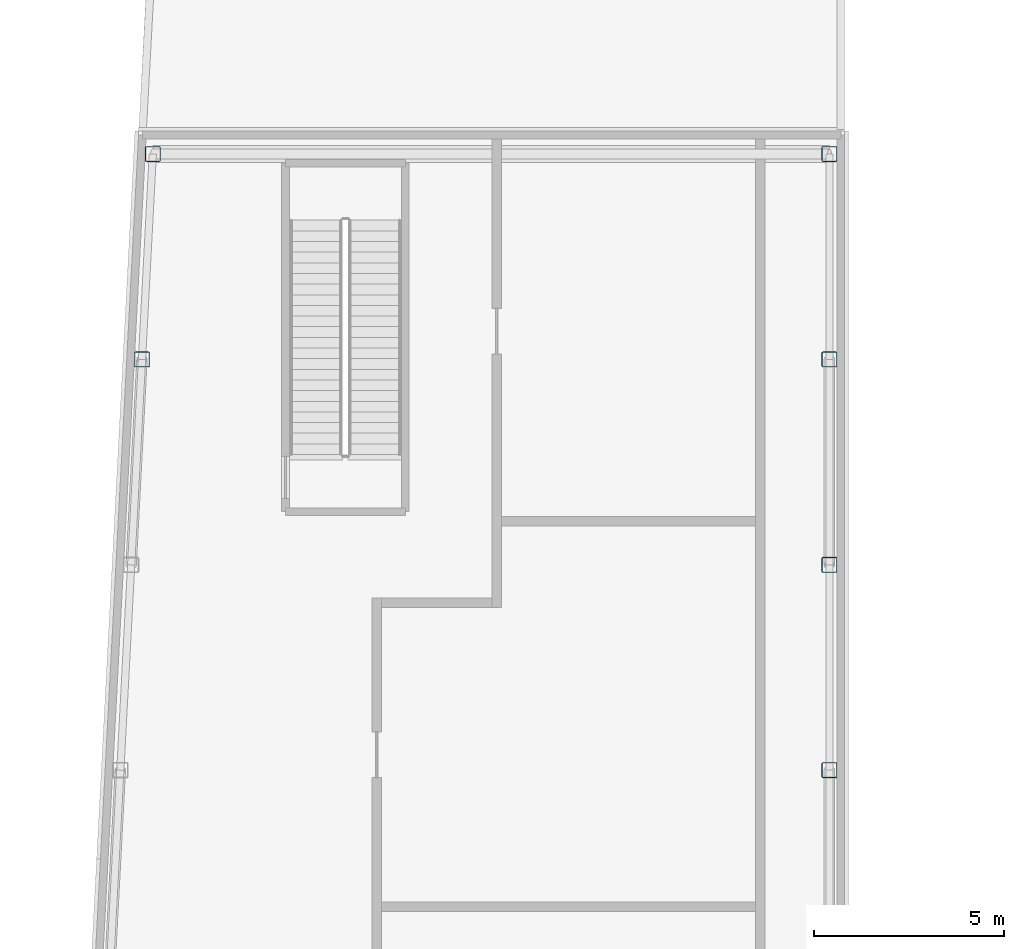
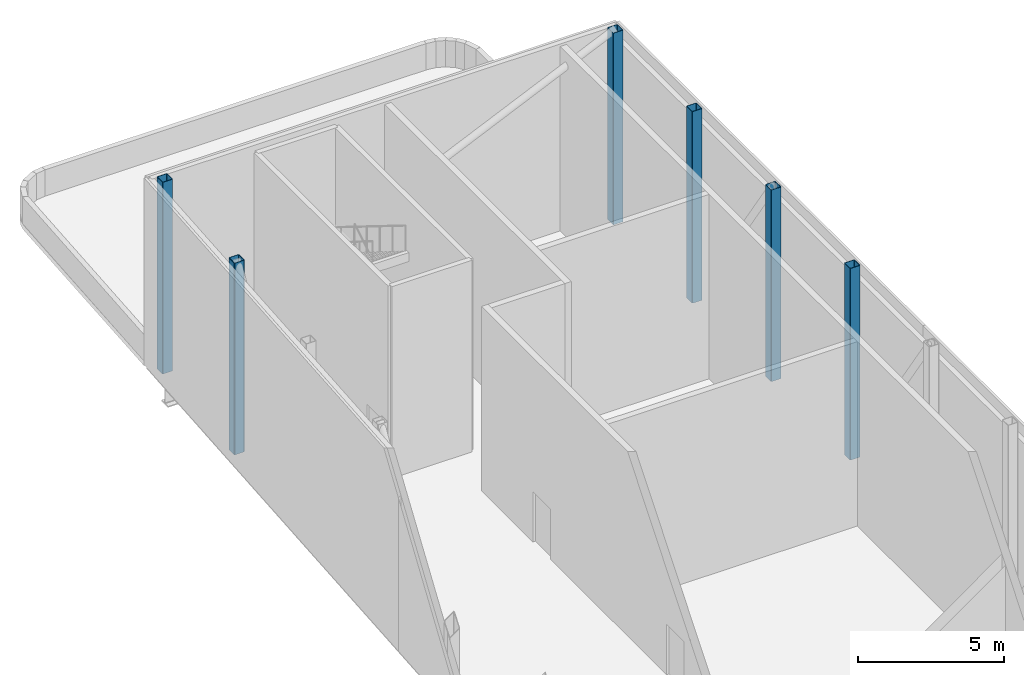
# One storey, part 2 of 10: 6 columns.
"""IFC4 building model written with IfcOpenShell, lengths in metres."""

from ifc_helpers import new_model, si_unit, direction, frame, origin, origin_2d, place, context, subcontext, project, spatial, hollow_rectangle, extrude, material, material_profile, profile_set, type_object, element, save


model = new_model("IFC4")

# Units and contexts
model_context = context("Model", 3, precision=1e-05, world=origin(), true_north=direction((0.0, 1.0)))
body_context = subcontext(model_context, "Body", "Model", "MODEL_VIEW")
ifc_project = project(units=[si_unit("LENGTHUNIT", "METRE"), si_unit("AREAUNIT", "SQUARE_METRE"), si_unit("VOLUMEUNIT", "CUBIC_METRE"), si_unit("PLANEANGLEUNIT", "RADIAN"), si_unit("MASSUNIT", "GRAM", prefix="KILO")], contexts=[model_context])

# Site, building, storey
site_placement = place(None, origin())
site = spatial("IfcSite", under=ifc_project, at=site_placement, CompositionType="ELEMENT")
building_placement = place(site_placement, origin())
building = spatial("IfcBuilding", under=site, at=building_placement, Name="Kheshtan School and Residences Tower", CompositionType="ELEMENT")
storey_placement = place(building_placement, frame((0.0, 0.0, 396.800048828125)))
storey = spatial("IfcBuildingStorey", under=building, at=storey_placement, Name="L93", CompositionType="ELEMENT", Elevation=396.800048828125)

# Columns
ifc_material = material(Name="Steel ASTM A500 Grade C", Category="steel")
ifc_material_profile = material_profile(ifc_material, hollow_rectangle(XDim=0.406005859375, YDim=0.406005859375, WallThickness=0.01904296875, InnerFilletRadius=0.01904296875, OuterFilletRadius=0.0380859375, at=origin_2d()), Name="HSS 406x406x19")
ifc_profile_set = profile_set([ifc_material_profile], Name="Steel ASTM A500 Grade C")
column_type = type_object("IfcColumnType", Name="Column CF1 HSS 406x406x19 ASTM A500 Grade C", PredefinedType="COLUMN", material=ifc_profile_set)
for number, where, z_axis, x_axis, name in (
    (1, (47.60009765625, 72.60009765625, 0.0), (0.0, 0.0, 1.0), (1.0, 0.0, 0.0), "Crown frame post C087"),
    (2, (47.60009765625, 78.0, 0.0), (0.0, 0.0, 1.0), (1.0, 0.0, 0.0), "Crown frame post C089"),
    (3, (29.527099609375, 83.39990234375, 0.0), (0.0, 0.0, 1.0), (1.0, 0.0, 0.0), "Crown frame post C090"),
    (4, (47.60009765625, 83.39990234375, 0.0), (0.0, 0.0, 1.0), (1.0, 0.0, 0.0), "Crown frame post C091"),
    (5, (29.81103515625, 88.800048828125, 0.0), (0.0, 0.0, 1.0), (1.0, 0.0, 0.0), "Crown frame post C098"),
    (6, (47.60009765625, 88.800048828125, 0.0), (0.0, 0.0, 1.0), (1.0, 0.0, 0.0), "Crown frame post C099"),
):
    element("IfcColumn", number, at=place(storey_placement, frame(where, z_axis=z_axis, x_axis=x_axis)), inside=storey, type_object=column_type, Name=name, PredefinedType="COLUMN", context=body_context, shape_type="SweptSolid", body=[
        extrude(hollow_rectangle(XDim=0.406005859375, YDim=0.406005859375, WallThickness=0.01904296875, InnerFilletRadius=0.01904296875, OuterFilletRadius=0.0380859375, at=origin_2d()), origin(), (0.0, 0.0, 1.0), 8.0),
    ])

save(model, "model.ifc")
